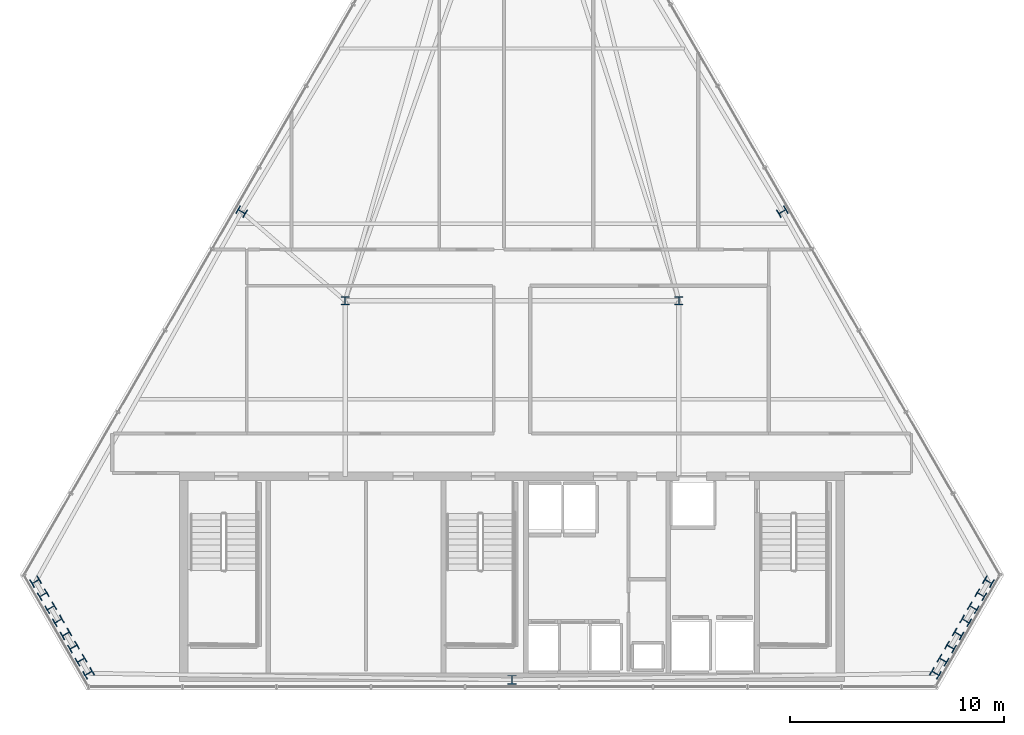
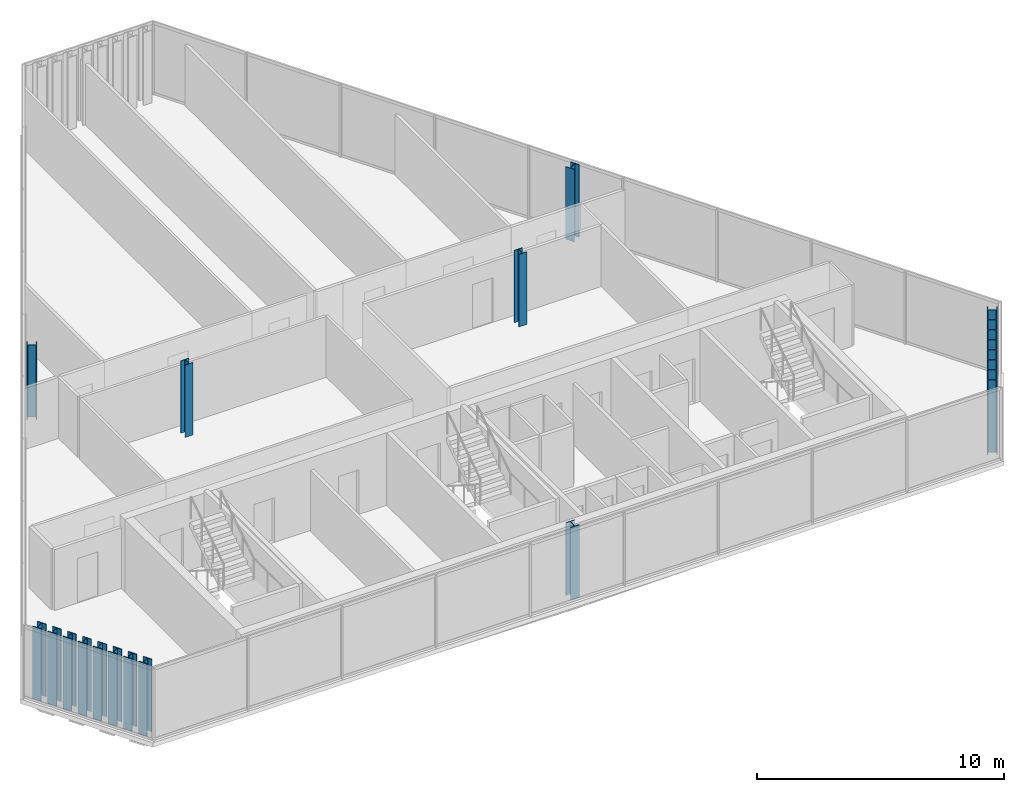
# One storey, part 1 of 32: 21 columns.
"""IFC4 building model written with IfcOpenShell, lengths in metres."""

import ifcopenshell
import ifcopenshell.guid

model = None  # the IFC model being written
_history = None  # IfcOwnerHistory: only IFC2X3 demands one
_inside = {}  # id of a spatial element -> (the spatial element, [elements in it])
_under = {}  # id of a project, library or spatial element -> (it, [spatial elements below it])
_declared = {}  # id of a project -> (the project, [libraries it declares])
_typed = {}  # id of a type object -> (the type object, [elements of that type])
_made_of = {}  # id of a material, layer set ... -> (it, [elements and type objects made of it])


def new_model(schema):
    """Start an empty IFC model of exactly this schema.

    Asked for "IFC4X3", IfcOpenShell would pick the latest addendum, in which some entities
    have other attributes; the version numbers below select the first issue.
    IFC2X3 requires an IfcOwnerHistory on every rooted entity: one is made here for all.
    """
    global model, _history
    if schema == "IFC4X3":
        model = ifcopenshell.file(schema_version=(4, 3, 0, 0))
    else:
        model = ifcopenshell.file(schema=schema)
    _inside.clear()
    _under.clear()
    _declared.clear()
    _typed.clear()
    _made_of.clear()
    _history = None
    if model.schema == "IFC2X3":
        org = make("IfcOrganization", Name="unknown")
        user = make(
            "IfcPersonAndOrganization",
            ThePerson=make("IfcPerson", FamilyName="unknown"),
            TheOrganization=org,
        )
        app = make(
            "IfcApplication",
            ApplicationDeveloper=org,
            Version="unknown",
            ApplicationFullName="unknown",
            ApplicationIdentifier="unknown",
        )
        _history = make(
            "IfcOwnerHistory",
            OwningUser=user,
            OwningApplication=app,
            ChangeAction="ADDED",
            CreationDate=0,
        )
    return model


def make(cls, **values):
    """One entity of the class cls with the attributes given. An attribute that is None is left unset."""
    return model.create_entity(
        cls, **{name: value for name, value in values.items() if value is not None}
    )


def rooted(cls, **values):
    """An entity with a GlobalId (a new one), such as an element, a storey or a relation."""
    return make(cls, GlobalId=ifcopenshell.guid.new(), OwnerHistory=_history, **values)


def si_unit(unit_type, name, prefix=None):
    """IfcSIUnit, for example si_unit("LENGTHUNIT", "METRE", prefix="MILLI")."""
    return make("IfcSIUnit", UnitType=unit_type, Prefix=prefix, Name=name)


def assignment(units):
    """IfcUnitAssignment: the units of a project."""
    return None if units is None else make("IfcUnitAssignment", Units=units)


def point(xyz):
    """IfcCartesianPoint."""
    return None if xyz is None else make("IfcCartesianPoint", Coordinates=xyz)


def direction(xyz):
    """IfcDirection."""
    return None if xyz is None else make("IfcDirection", DirectionRatios=xyz)


def frame(location, z_axis=None, x_axis=None):
    """IfcAxis2Placement3D, a coordinate frame: its origin and axes. An axis left out is left unset."""
    return make(
        "IfcAxis2Placement3D",
        Location=point(location),
        Axis=direction(z_axis),
        RefDirection=direction(x_axis),
    )


def frame_2d(location, x_axis=None):
    """IfcAxis2Placement2D, a coordinate frame in the plane: its origin and x axis."""
    return make(
        "IfcAxis2Placement2D", Location=point(location), RefDirection=direction(x_axis)
    )


def origin():
    """The frame at (0, 0, 0) with its axes left unset."""
    return frame((0.0, 0.0, 0.0))


def origin_2d():
    """The frame at (0, 0) in the plane with its x axis left unset."""
    return frame_2d((0.0, 0.0))


def place(relative_to, where):
    """IfcLocalPlacement: puts the frame where relative to a parent placement (None: the world)."""
    return make(
        "IfcLocalPlacement", PlacementRelTo=relative_to, RelativePlacement=where
    )


def context(
    kind, dimensions, precision=None, world=None, true_north=None, identifier=None
):
    """IfcGeometricRepresentationContext, for example the 3D "Model" context."""
    return make(
        "IfcGeometricRepresentationContext",
        ContextIdentifier=identifier,
        ContextType=kind,
        CoordinateSpaceDimension=dimensions,
        Precision=precision,
        WorldCoordinateSystem=world,
        TrueNorth=true_north,
    )


def subcontext(parent, identifier, kind, view, scale=None):
    """IfcGeometricRepresentationSubContext, for example "Body" below "Model"."""
    return make(
        "IfcGeometricRepresentationSubContext",
        ContextIdentifier=identifier,
        ContextType=kind,
        ParentContext=parent,
        TargetScale=scale,
        TargetView=view,
    )


def project(units=None, contexts=None):
    """IfcProject with its units and contexts."""
    return rooted(
        "IfcProject",
        Name="project",
        RepresentationContexts=contexts,
        UnitsInContext=assignment(units),
    )


def spatial(cls, under=None, at=None, **own):
    """A site, building, storey or space (cls), placed at a placement, below another one or the project."""
    s = rooted(cls, ObjectPlacement=at, **own)
    if under is not None:
        _under.setdefault(under.id(), (under, []))[1].append(s)
    return s


def profile(cls, at=None, kind="AREA", **sizes):
    """A parametric profile (cls). Its sizes go by their IFC names, for example OverallWidth=200.0."""
    return make(cls, ProfileType=kind, Position=at, **sizes)


def i_section(**sizes):
    """IfcIShapeProfileDef."""
    return profile("IfcIShapeProfileDef", **sizes)


def extrude(swept, where, along, depth):
    """IfcExtrudedAreaSolid: the profile swept, set in the frame where, extruded along a direction by depth."""
    return make(
        "IfcExtrudedAreaSolid",
        SweptArea=swept,
        Position=where,
        ExtrudedDirection=direction(along),
        Depth=depth,
    )


def shape(context_of_items, identifier, shape_type, items):
    """IfcShapeRepresentation: the items that make up one representation, for example the "Body"."""
    return make(
        "IfcShapeRepresentation",
        ContextOfItems=context_of_items,
        RepresentationIdentifier=identifier,
        RepresentationType=shape_type,
        Items=items,
    )


def material(Name=None, Category=None):
    """IfcMaterial."""
    return make("IfcMaterial", Name=Name, Category=Category)


def material_profile(
    of_material, cross_section, Name=None, Category=None, Priority=None
):
    """IfcMaterialProfile: a cross section and its material."""
    return make(
        "IfcMaterialProfile",
        Name=Name,
        Material=of_material,
        Profile=cross_section,
        Priority=Priority,
        Category=Category,
    )


def profile_set(profiles, Name=None, composite=None):
    """IfcMaterialProfileSet."""
    return make(
        "IfcMaterialProfileSet",
        Name=Name,
        MaterialProfiles=profiles,
        CompositeProfile=composite,
    )


def made_of(thing, what):
    """Note that an element or type object is made of a material, layer set ...; save() writes the relation."""
    if what is not None:
        _made_of.setdefault(what.id(), (what, []))[1].append(thing)
    return thing


def type_object(cls, material=None, **own):
    """A type object (cls), such as IfcWallType, which elements share."""
    return made_of(rooted(cls, **own), material)


def element(
    cls,
    number,
    at=None,
    inside=None,
    cuts=None,
    type_object=None,
    material=None,
    context=None,
    identifier="Body",
    shape_type=None,
    held_by="IfcProductDefinitionShape",
    body=None,
    shapes=None,
    **own,
):
    """One element of the class cls, such as IfcWall. Its Tag is "e" and its number.

    at: its placement. inside: the storey or other place that contains it. cuts: it is an
    opening in that element (IfcRelVoidsElement). A single representation is given by context,
    identifier, shape_type and body (its items); several are given by shapes. held_by: the class
    of the entity that holds the representations. save() writes the other relations.
    """
    e = rooted(cls, Tag="e%d" % number, ObjectPlacement=at, **own)
    if body is not None:
        shapes = [shape(context, identifier, shape_type, body)]
    if shapes is not None:
        e.Representation = make(held_by, Representations=shapes)
    if inside is not None:
        _inside.setdefault(inside.id(), (inside, []))[1].append(e)
    if cuts is not None:
        rooted(
            "IfcRelVoidsElement", RelatingBuildingElement=cuts, RelatedOpeningElement=e
        )
    if type_object is not None:
        _typed.setdefault(type_object.id(), (type_object, []))[1].append(e)
    return made_of(e, material)


def aggregate(whole, parts):
    """IfcRelAggregates: a whole, such as a stair, and the parts it consists of."""
    return rooted("IfcRelAggregates", RelatingObject=whole, RelatedObjects=parts)


def save(model, path):
    """Write the relations noted so far, then the file.

    IfcRelAggregates (storeys below a building ...), IfcRelContainedInSpatialStructure (elements
    in a storey), IfcRelDefinesByType, IfcRelAssociatesMaterial and IfcRelDeclares: one each for
    every whole, place, type object, material and project.
    """
    for whole, parts in _under.values():
        aggregate(whole, parts)
    for where, things in _inside.values():
        rooted(
            "IfcRelContainedInSpatialStructure",
            RelatedElements=things,
            RelatingStructure=where,
        )
    for kind, things in _typed.values():
        rooted("IfcRelDefinesByType", RelatedObjects=things, RelatingType=kind)
    for what, things in _made_of.values():
        rooted("IfcRelAssociatesMaterial", RelatedObjects=things, RelatingMaterial=what)
    for by, libraries in _declared.values():
        rooted("IfcRelDeclares", RelatingContext=by, RelatedDefinitions=libraries)
    model.write(path)


model = new_model("IFC4")

# Units and contexts
model_context = context("Model", 3, precision=1e-05, world=origin(), true_north=direction((0.0, 1.0)))
body_context = subcontext(model_context, "Body", "Model", "MODEL_VIEW")
ifc_project = project(units=[si_unit("LENGTHUNIT", "METRE"), si_unit("AREAUNIT", "SQUARE_METRE"), si_unit("VOLUMEUNIT", "CUBIC_METRE"), si_unit("PLANEANGLEUNIT", "RADIAN"), si_unit("MASSUNIT", "GRAM", prefix="KILO")], contexts=[model_context])

# Site, building, storey
site_placement = place(None, origin())
site = spatial("IfcSite", under=ifc_project, at=site_placement, CompositionType="ELEMENT")
building_placement = place(site_placement, origin())
building = spatial("IfcBuilding", under=site, at=building_placement, Name="Ndaravel Arena Tower", CompositionType="ELEMENT")
storey_placement = place(building_placement, frame((0.0, 0.0, 256.0)))
storey = spatial("IfcBuildingStorey", under=building, at=storey_placement, Name="L62", CompositionType="ELEMENT", Elevation=256.0)

# Columns
ifc_material_1 = material(Name="Steel S355", Category="steel")
ifc_material_profile_1 = material_profile(ifc_material_1, i_section(OverallWidth=0.374755859375, OverallDepth=0.37451171875, WebThickness=0.0166015625, FlangeThickness=0.027099609375, FilletRadius=0.01513671875, at=origin_2d()), Name="UC 356x368x202")
ifc_profile_set_1 = profile_set([ifc_material_profile_1], Name="Steel S355")
column_type_1 = type_object("IfcColumnType", Name="COL-CRN-UC202", PredefinedType="COLUMN", material=ifc_profile_set_1)
for number, where, z_axis, x_axis, name in (
    (1, (34.199951171875, 23.199951171875, 0.0), (0.0, 0.0, 1.0), (1.0, 0.0, 0.0), "L62 Interior Spine Column IC-01"),
    (2, (49.800048828125, 23.199951171875, 0.0), (0.0, 0.0, 1.0), (1.0, 0.0, 0.0), "L62 Interior Spine Column IC-02"),
):
    element("IfcColumn", number, at=place(storey_placement, frame(where, z_axis=z_axis, x_axis=x_axis)), inside=storey, type_object=column_type_1, Name=name, PredefinedType="COLUMN", context=body_context, shape_type="SweptSolid", body=[
        extrude(i_section(OverallWidth=0.374755859375, OverallDepth=0.37451171875, WebThickness=0.0166015625, FlangeThickness=0.027099609375, FilletRadius=0.01513671875, at=origin_2d()), origin(), (0.0, 0.0, 1.0), 3.580078125),
    ])
ifc_material_2 = material(Name="Steel S355", Category="steel")
ifc_material_profile_2 = material_profile(ifc_material_2, i_section(OverallWidth=0.406005859375, OverallDepth=0.416015625, WebThickness=0.02978515625, FlangeThickness=0.03662109375, FilletRadius=0.014892578125, at=origin_2d()), Name="HD 400x382")
ifc_profile_set_2 = profile_set([ifc_material_profile_2], Name="Steel S355")
column_type_2 = type_object("IfcColumnType", Name="COL-TUBE-HD382", PredefinedType="COLUMN", material=ifc_profile_set_2)
for number, where, z_axis, x_axis, name in (
    (3, (42.0, 5.47998046875, 0.0), (0.0, 0.0, 1.0), (1.0, 0.0, 0.0), "L62 Framed Tube Column TC-01"),
    (4, (61.794921875, 5.7861328125, 0.0), (0.0, 0.0, 1.0), (0.5, 0.866025403784, 0.0), "L62 Framed Tube Column TC-02"),
    (5, (62.148681640625, 6.398681640625, 0.0), (0.0, 0.0, 1.0), (0.5, 0.866025403784, 0.0), "L62 Framed Tube Column TC-03"),
    (6, (62.502197265625, 7.01123046875, 0.0), (0.0, 0.0, 1.0), (0.5, 0.866025403784, 0.0), "L62 Framed Tube Column TC-04"),
    (7, (62.855712890625, 7.623779296875, 0.0), (0.0, 0.0, 1.0), (0.5, 0.866025403784, 0.0), "L62 Framed Tube Column TC-05"),
    (8, (63.20947265625, 8.236083984375, 0.0), (0.0, 0.0, 1.0), (0.5, 0.866025403784, 0.0), "L62 Framed Tube Column TC-06"),
    (9, (63.56298828125, 8.8486328125, 0.0), (0.0, 0.0, 1.0), (0.5, 0.866025403784, 0.0), "L62 Framed Tube Column TC-07"),
    (10, (63.916748046875, 9.461181640625, 0.0), (0.0, 0.0, 1.0), (0.5, 0.866025403784, 0.0), "L62 Framed Tube Column TC-08"),
    (11, (64.270263671875, 10.073486328125, 0.0), (0.0, 0.0, 1.0), (0.5, 0.866025403784, 0.0), "L62 Framed Tube Column TC-09"),
    (12, (54.63818359375, 27.36962890625, 0.0), (0.0, 0.0, 1.0), (-0.5, 0.866025403784, 0.0), "L62 Framed Tube Column TC-10"),
    (13, (29.362060546875, 27.36962890625, 0.0), (0.0, 0.0, 1.0), (0.5, 0.866025403784, 0.0), "L62 Framed Tube Column TC-19"),
    (14, (19.729736328125, 10.073486328125, 0.0), (0.0, 0.0, 1.0), (-0.5, 0.866025403784, 0.0), "L62 Framed Tube Column TC-20"),
    (15, (20.083251953125, 9.461181640625, 0.0), (0.0, 0.0, 1.0), (-0.5, 0.866025403784, 0.0), "L62 Framed Tube Column TC-21"),
    (16, (20.43701171875, 8.8486328125, 0.0), (0.0, 0.0, 1.0), (-0.5, 0.866025403784, 0.0), "L62 Framed Tube Column TC-22"),
    (17, (20.79052734375, 8.236083984375, 0.0), (0.0, 0.0, 1.0), (-0.5, 0.866025403784, 0.0), "L62 Framed Tube Column TC-23"),
    (18, (21.144287109375, 7.623779296875, 0.0), (0.0, 0.0, 1.0), (-0.5, 0.866025403784, 0.0), "L62 Framed Tube Column TC-24"),
    (19, (21.497802734375, 7.01123046875, 0.0), (0.0, 0.0, 1.0), (-0.5, 0.866025403784, 0.0), "L62 Framed Tube Column TC-25"),
    (20, (21.851318359375, 6.398681640625, 0.0), (0.0, 0.0, 1.0), (-0.5, 0.866025403784, 0.0), "L62 Framed Tube Column TC-26"),
    (21, (22.205078125, 5.7861328125, 0.0), (0.0, 0.0, 1.0), (-0.5, 0.866025403784, 0.0), "L62 Framed Tube Column TC-27"),
):
    element("IfcColumn", number, at=place(storey_placement, frame(where, z_axis=z_axis, x_axis=x_axis)), inside=storey, type_object=column_type_2, Name=name, PredefinedType="COLUMN", context=body_context, shape_type="SweptSolid", body=[
        extrude(i_section(OverallWidth=0.406005859375, OverallDepth=0.416015625, WebThickness=0.02978515625, FlangeThickness=0.03662109375, FilletRadius=0.014892578125, at=origin_2d()), origin(), (0.0, 0.0, 1.0), 3.580078125),
    ])

save(model, "model.ifc")
